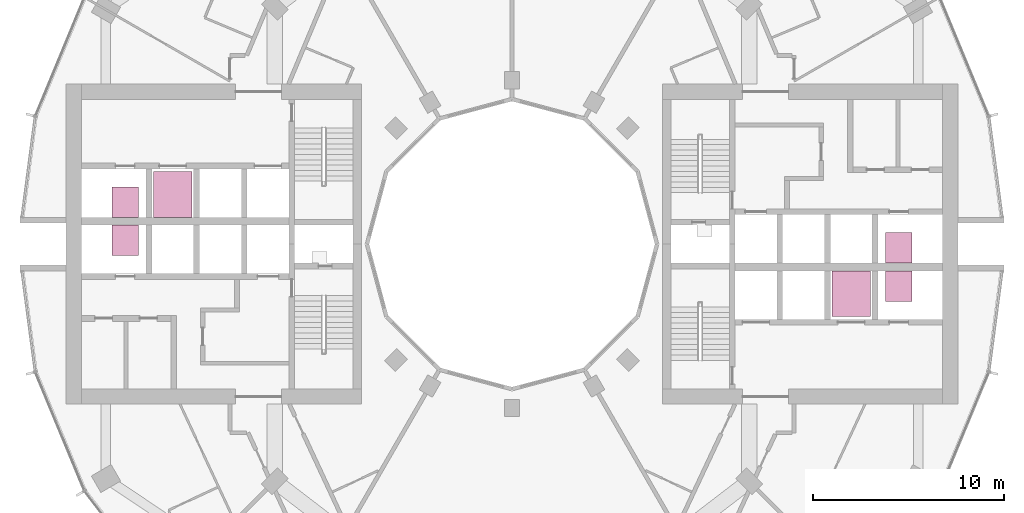
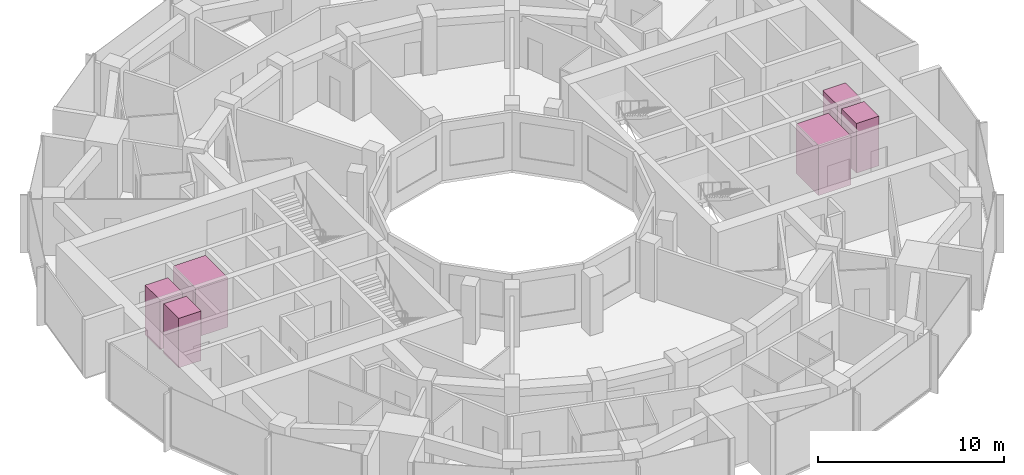
# One storey, part 15 of 15: 6 transport elements.
"""IFC4 building model written with IfcOpenShell, lengths in metres."""

from ifc_helpers import new_model, si_unit, direction, frame, origin, origin_2d, place, context, subcontext, project, spatial, rectangle, extrude, material, type_object, element, save


model = new_model("IFC4")

# Units and contexts
model_context = context("Model", 3, precision=1e-05, world=origin(), true_north=direction((0.0, 1.0)))
body_context = subcontext(model_context, "Body", "Model", "MODEL_VIEW")
ifc_project = project(units=[si_unit("LENGTHUNIT", "METRE"), si_unit("AREAUNIT", "SQUARE_METRE"), si_unit("VOLUMEUNIT", "CUBIC_METRE"), si_unit("PLANEANGLEUNIT", "RADIAN"), si_unit("MASSUNIT", "GRAM", prefix="KILO")], contexts=[model_context])

# Site, building, storey
site_placement = place(None, origin())
site = spatial("IfcSite", under=ifc_project, at=site_placement, CompositionType="ELEMENT")
building_placement = place(site_placement, origin())
building = spatial("IfcBuilding", under=site, at=building_placement, Name="Torre Brocal", CompositionType="ELEMENT")
storey_placement = place(building_placement, frame((0.0, 0.0, 82.39990234375)))
storey = spatial("IfcBuildingStorey", under=building, at=storey_placement, Name="L18", CompositionType="ELEMENT", Elevation=82.39990234375)

# Transport elements
ifc_material_1 = material(Name="Stainless steel AISI 316", Category="steel")
transport_element_type_1 = type_object("IfcTransportElementType", Name="PASSENGER LIFT 2000", PredefinedType="ELEVATOR", material=ifc_material_1)
for number, where, z_axis, x_axis, name in (
    (1, (97.800048828125, 72.39990234375, 0.0), (0.0, 0.0, 1.0), (1.0, 0.0, 0.0), "LOW RISE LIFT E-LR2"),
    (2, (62.199951171875, 77.60009765625, 0.0), (0.0, 0.0, 1.0), (1.0, 0.0, 0.0), "LOW RISE LIFT W-LR2"),
):
    element("IfcTransportElement", number, at=place(storey_placement, frame(where, z_axis=z_axis, x_axis=x_axis)), inside=storey, type_object=transport_element_type_1, Name=name, PredefinedType="ELEVATOR", context=body_context, shape_type="SweptSolid", body=[
        extrude(rectangle(XDim=2.0, YDim=2.39990234375, at=origin_2d()), origin(), (0.0, 0.0, 1.0), 3.25),
    ])
ifc_material_2 = material(Name="Stainless steel AISI 316", Category="steel")
transport_element_type_2 = type_object("IfcTransportElementType", Name="PASSENGER LIFT 900", PredefinedType="ELEVATOR", material=ifc_material_2)
for number, where, z_axis, x_axis, name in (
    (3, (100.300048828125, 74.800048828125, 0.0), (0.0, 0.0, 1.0), (1.0, 0.0, 0.0), "LOW RISE LIFT E-LR1"),
    (4, (100.300048828125, 72.800048828125, 0.0), (0.0, 0.0, 1.0), (1.0, 0.0, 0.0), "LOW RISE LIFT E-LR3"),
    (5, (59.699951171875, 75.199951171875, 0.0), (0.0, 0.0, 1.0), (1.0, 0.0, 0.0), "LOW RISE LIFT W-LR1"),
    (6, (59.699951171875, 77.199951171875, 0.0), (0.0, 0.0, 1.0), (1.0, 0.0, 0.0), "LOW RISE LIFT W-LR3"),
):
    element("IfcTransportElement", number, at=place(storey_placement, frame(where, z_axis=z_axis, x_axis=x_axis)), inside=storey, type_object=transport_element_type_2, Name=name, PredefinedType="ELEVATOR", context=body_context, shape_type="SweptSolid", body=[
        extrude(rectangle(XDim=1.39990234375, YDim=1.60009765625, at=origin_2d()), origin(), (0.0, 0.0, 1.0), 3.25),
    ])

save(model, "model.ifc")
